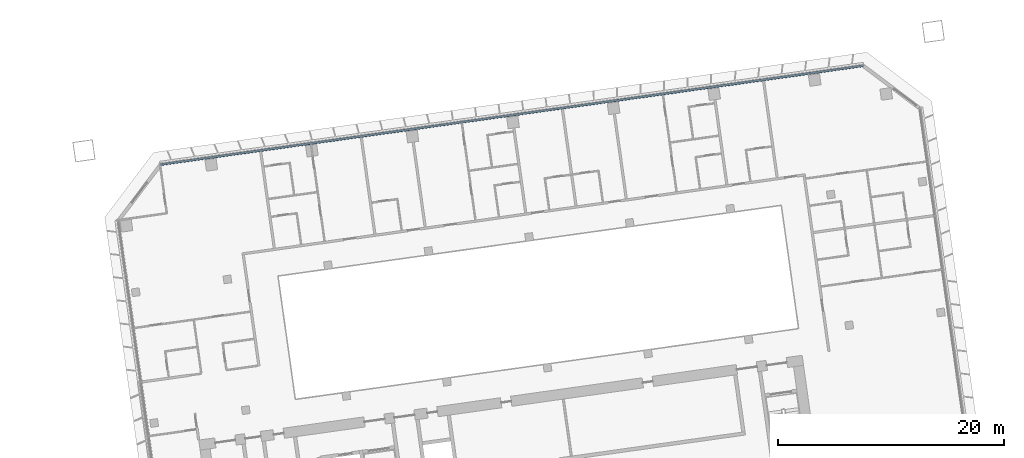
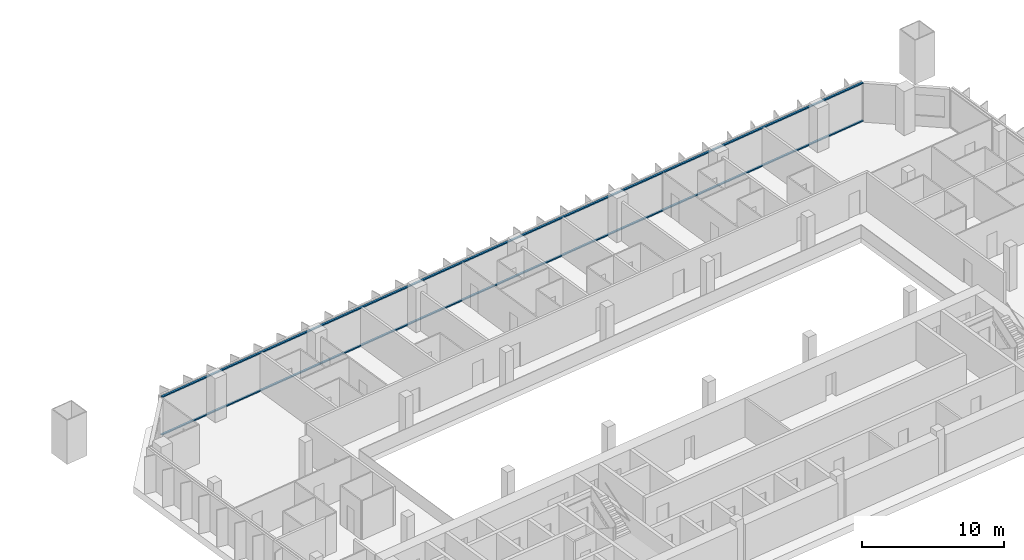
# One storey, part 9 of 25: 2 members, 1 element without a shape of its own.
"""IFC4 building model written with IfcOpenShell, lengths in metres."""

import ifcopenshell
import ifcopenshell.guid

model = None  # the IFC model being written
_history = None  # IfcOwnerHistory: only IFC2X3 demands one
_inside = {}  # id of a spatial element -> (the spatial element, [elements in it])
_under = {}  # id of a project, library or spatial element -> (it, [spatial elements below it])
_declared = {}  # id of a project -> (the project, [libraries it declares])
_typed = {}  # id of a type object -> (the type object, [elements of that type])
_made_of = {}  # id of a material, layer set ... -> (it, [elements and type objects made of it])


def new_model(schema):
    """Start an empty IFC model of exactly this schema.

    Asked for "IFC4X3", IfcOpenShell would pick the latest addendum, in which some entities
    have other attributes; the version numbers below select the first issue.
    IFC2X3 requires an IfcOwnerHistory on every rooted entity: one is made here for all.
    """
    global model, _history
    if schema == "IFC4X3":
        model = ifcopenshell.file(schema_version=(4, 3, 0, 0))
    else:
        model = ifcopenshell.file(schema=schema)
    _inside.clear()
    _under.clear()
    _declared.clear()
    _typed.clear()
    _made_of.clear()
    _history = None
    if model.schema == "IFC2X3":
        org = make("IfcOrganization", Name="unknown")
        user = make(
            "IfcPersonAndOrganization",
            ThePerson=make("IfcPerson", FamilyName="unknown"),
            TheOrganization=org,
        )
        app = make(
            "IfcApplication",
            ApplicationDeveloper=org,
            Version="unknown",
            ApplicationFullName="unknown",
            ApplicationIdentifier="unknown",
        )
        _history = make(
            "IfcOwnerHistory",
            OwningUser=user,
            OwningApplication=app,
            ChangeAction="ADDED",
            CreationDate=0,
        )
    return model


def make(cls, **values):
    """One entity of the class cls with the attributes given. An attribute that is None is left unset."""
    return model.create_entity(
        cls, **{name: value for name, value in values.items() if value is not None}
    )


def rooted(cls, **values):
    """An entity with a GlobalId (a new one), such as an element, a storey or a relation."""
    return make(cls, GlobalId=ifcopenshell.guid.new(), OwnerHistory=_history, **values)


def si_unit(unit_type, name, prefix=None):
    """IfcSIUnit, for example si_unit("LENGTHUNIT", "METRE", prefix="MILLI")."""
    return make("IfcSIUnit", UnitType=unit_type, Prefix=prefix, Name=name)


def assignment(units):
    """IfcUnitAssignment: the units of a project."""
    return None if units is None else make("IfcUnitAssignment", Units=units)


def point(xyz):
    """IfcCartesianPoint."""
    return None if xyz is None else make("IfcCartesianPoint", Coordinates=xyz)


def direction(xyz):
    """IfcDirection."""
    return None if xyz is None else make("IfcDirection", DirectionRatios=xyz)


def frame(location, z_axis=None, x_axis=None):
    """IfcAxis2Placement3D, a coordinate frame: its origin and axes. An axis left out is left unset."""
    return make(
        "IfcAxis2Placement3D",
        Location=point(location),
        Axis=direction(z_axis),
        RefDirection=direction(x_axis),
    )


def frame_2d(location, x_axis=None):
    """IfcAxis2Placement2D, a coordinate frame in the plane: its origin and x axis."""
    return make(
        "IfcAxis2Placement2D", Location=point(location), RefDirection=direction(x_axis)
    )


def origin():
    """The frame at (0, 0, 0) with its axes left unset."""
    return frame((0.0, 0.0, 0.0))


def origin_2d():
    """The frame at (0, 0) in the plane with its x axis left unset."""
    return frame_2d((0.0, 0.0))


def place(relative_to, where):
    """IfcLocalPlacement: puts the frame where relative to a parent placement (None: the world)."""
    return make(
        "IfcLocalPlacement", PlacementRelTo=relative_to, RelativePlacement=where
    )


def context(
    kind, dimensions, precision=None, world=None, true_north=None, identifier=None
):
    """IfcGeometricRepresentationContext, for example the 3D "Model" context."""
    return make(
        "IfcGeometricRepresentationContext",
        ContextIdentifier=identifier,
        ContextType=kind,
        CoordinateSpaceDimension=dimensions,
        Precision=precision,
        WorldCoordinateSystem=world,
        TrueNorth=true_north,
    )


def subcontext(parent, identifier, kind, view, scale=None):
    """IfcGeometricRepresentationSubContext, for example "Body" below "Model"."""
    return make(
        "IfcGeometricRepresentationSubContext",
        ContextIdentifier=identifier,
        ContextType=kind,
        ParentContext=parent,
        TargetScale=scale,
        TargetView=view,
    )


def project(units=None, contexts=None):
    """IfcProject with its units and contexts."""
    return rooted(
        "IfcProject",
        Name="project",
        RepresentationContexts=contexts,
        UnitsInContext=assignment(units),
    )


def spatial(cls, under=None, at=None, **own):
    """A site, building, storey or space (cls), placed at a placement, below another one or the project."""
    s = rooted(cls, ObjectPlacement=at, **own)
    if under is not None:
        _under.setdefault(under.id(), (under, []))[1].append(s)
    return s


def profile(cls, at=None, kind="AREA", **sizes):
    """A parametric profile (cls). Its sizes go by their IFC names, for example OverallWidth=200.0."""
    return make(cls, ProfileType=kind, Position=at, **sizes)


def rectangle(**sizes):
    """IfcRectangleProfileDef."""
    return profile("IfcRectangleProfileDef", **sizes)


def extrude(swept, where, along, depth):
    """IfcExtrudedAreaSolid: the profile swept, set in the frame where, extruded along a direction by depth."""
    return make(
        "IfcExtrudedAreaSolid",
        SweptArea=swept,
        Position=where,
        ExtrudedDirection=direction(along),
        Depth=depth,
    )


def shape(context_of_items, identifier, shape_type, items):
    """IfcShapeRepresentation: the items that make up one representation, for example the "Body"."""
    return make(
        "IfcShapeRepresentation",
        ContextOfItems=context_of_items,
        RepresentationIdentifier=identifier,
        RepresentationType=shape_type,
        Items=items,
    )


def material(Name=None, Category=None):
    """IfcMaterial."""
    return make("IfcMaterial", Name=Name, Category=Category)


def material_profile(
    of_material, cross_section, Name=None, Category=None, Priority=None
):
    """IfcMaterialProfile: a cross section and its material."""
    return make(
        "IfcMaterialProfile",
        Name=Name,
        Material=of_material,
        Profile=cross_section,
        Priority=Priority,
        Category=Category,
    )


def profile_set(profiles, Name=None, composite=None):
    """IfcMaterialProfileSet."""
    return make(
        "IfcMaterialProfileSet",
        Name=Name,
        MaterialProfiles=profiles,
        CompositeProfile=composite,
    )


def made_of(thing, what):
    """Note that an element or type object is made of a material, layer set ...; save() writes the relation."""
    if what is not None:
        _made_of.setdefault(what.id(), (what, []))[1].append(thing)
    return thing


def type_object(cls, material=None, **own):
    """A type object (cls), such as IfcWallType, which elements share."""
    return made_of(rooted(cls, **own), material)


def element(
    cls,
    number,
    at=None,
    inside=None,
    cuts=None,
    type_object=None,
    material=None,
    context=None,
    identifier="Body",
    shape_type=None,
    held_by="IfcProductDefinitionShape",
    body=None,
    shapes=None,
    **own,
):
    """One element of the class cls, such as IfcWall. Its Tag is "e" and its number.

    at: its placement. inside: the storey or other place that contains it. cuts: it is an
    opening in that element (IfcRelVoidsElement). A single representation is given by context,
    identifier, shape_type and body (its items); several are given by shapes. held_by: the class
    of the entity that holds the representations. save() writes the other relations.
    """
    e = rooted(cls, Tag="e%d" % number, ObjectPlacement=at, **own)
    if body is not None:
        shapes = [shape(context, identifier, shape_type, body)]
    if shapes is not None:
        e.Representation = make(held_by, Representations=shapes)
    if inside is not None:
        _inside.setdefault(inside.id(), (inside, []))[1].append(e)
    if cuts is not None:
        rooted(
            "IfcRelVoidsElement", RelatingBuildingElement=cuts, RelatedOpeningElement=e
        )
    if type_object is not None:
        _typed.setdefault(type_object.id(), (type_object, []))[1].append(e)
    return made_of(e, material)


def aggregate(whole, parts):
    """IfcRelAggregates: a whole, such as a stair, and the parts it consists of."""
    return rooted("IfcRelAggregates", RelatingObject=whole, RelatedObjects=parts)


def save(model, path):
    """Write the relations noted so far, then the file.

    IfcRelAggregates (storeys below a building ...), IfcRelContainedInSpatialStructure (elements
    in a storey), IfcRelDefinesByType, IfcRelAssociatesMaterial and IfcRelDeclares: one each for
    every whole, place, type object, material and project.
    """
    for whole, parts in _under.values():
        aggregate(whole, parts)
    for where, things in _inside.values():
        rooted(
            "IfcRelContainedInSpatialStructure",
            RelatedElements=things,
            RelatingStructure=where,
        )
    for kind, things in _typed.values():
        rooted("IfcRelDefinesByType", RelatedObjects=things, RelatingType=kind)
    for what, things in _made_of.values():
        rooted("IfcRelAssociatesMaterial", RelatedObjects=things, RelatingMaterial=what)
    for by, libraries in _declared.values():
        rooted("IfcRelDeclares", RelatingContext=by, RelatedDefinitions=libraries)
    model.write(path)


model = new_model("IFC4")

# Units and contexts
model_context = context("Model", 3, precision=1e-05, world=origin(), true_north=direction((0.0, 1.0)))
body_context = subcontext(model_context, "Body", "Model", "MODEL_VIEW")
ifc_project = project(units=[si_unit("LENGTHUNIT", "METRE"), si_unit("AREAUNIT", "SQUARE_METRE"), si_unit("VOLUMEUNIT", "CUBIC_METRE"), si_unit("PLANEANGLEUNIT", "RADIAN"), si_unit("MASSUNIT", "GRAM", prefix="KILO")], contexts=[model_context])

# Site, building, storey
site_placement = place(None, origin())
site = spatial("IfcSite", under=ifc_project, at=site_placement, CompositionType="ELEMENT")
building_placement = place(site_placement, origin())
building = spatial("IfcBuilding", under=site, at=building_placement, Name="Mirante Cascada Hotel Towers", CompositionType="ELEMENT")
storey_placement = place(building_placement, frame((0.0, 0.0, 62.3)))
storey = spatial("IfcBuildingStorey", under=building, at=storey_placement, Name="L12", CompositionType="ELEMENT", Elevation=62.3)

# Curtain wall, members
ifc_material_1 = material(Name="Aluminium mullion and transom frame with clear laminated glass", Category="aluminium")
curtain_wall_type = type_object("IfcCurtainWallType", Name="Ribbon curtain wall ECW1", PredefinedType="NOTDEFINED", material=ifc_material_1)
curtain_wall_placement = place(storey_placement, origin())
curtain_wall = element("IfcCurtainWall", 1, at=curtain_wall_placement, inside=storey, type_object=curtain_wall_type, Name="Front ribbon wall T2 L12", PredefinedType="NOTDEFINED")
ifc_material_2 = material(Name="Anodised aluminium extrusion", Category="aluminium")
ifc_material_profile = material_profile(ifc_material_2, rectangle(XDim=0.16, YDim=0.1, at=origin_2d()), Name="ECW1 TRANSOM 100x160")
ifc_profile_set = profile_set([ifc_material_profile], Name="Anodised aluminium extrusion")
member_type = type_object("IfcMemberType", Name="ECW1 transom 100x160", PredefinedType="USERDEFINED", material=ifc_profile_set)
member_1_placement = place(storey_placement, frame((94.1582, 26.0521, 0.05), z_axis=(-0.9902681, -0.1391728, 0.0), x_axis=(0.1391728, -0.9902681, 0.0)))
member_1 = element("IfcMember", 2, at=member_1_placement, type_object=member_type, Name="ECW1 sill transom", ObjectType="TRANSOM", PredefinedType="USERDEFINED", context=body_context, shape_type="SweptSolid", body=[
    extrude(rectangle(XDim=0.16, YDim=0.1, at=origin_2d()), origin(), (0.0, 0.0, 1.0), 62.8758),
])
member_2_placement = place(storey_placement, frame((94.1582, 26.0521, 3.3), z_axis=(-0.9902681, -0.1391728, 0.0), x_axis=(0.1391728, -0.9902681, 0.0)))
member_2 = element("IfcMember", 3, at=member_2_placement, type_object=member_type, Name="ECW1 head transom", ObjectType="TRANSOM", PredefinedType="USERDEFINED", context=body_context, shape_type="SweptSolid", body=[
    extrude(rectangle(XDim=0.16, YDim=0.1, at=origin_2d()), origin(), (0.0, 0.0, 1.0), 62.8758),
])
aggregate(curtain_wall, [member_1, member_2])

save(model, "model.ifc")
